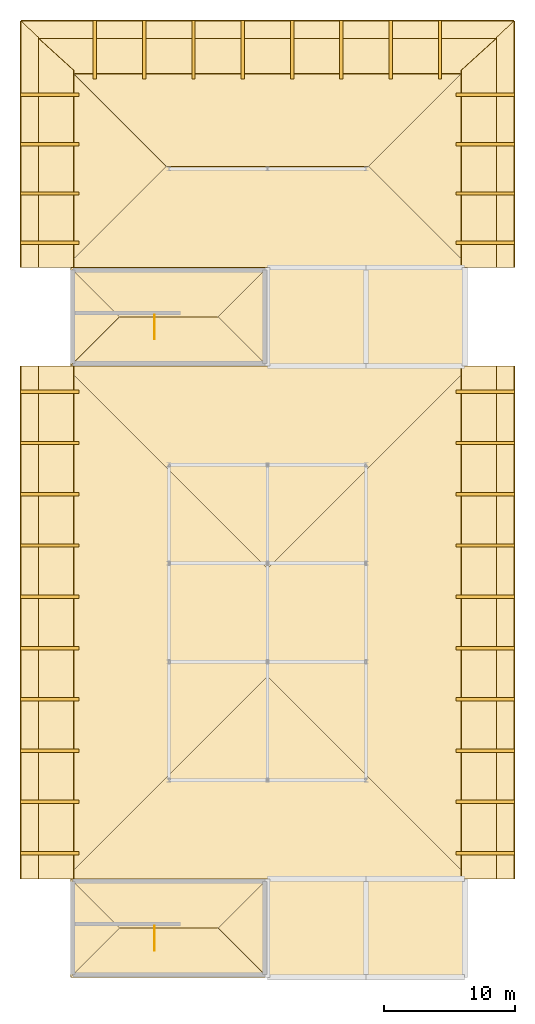
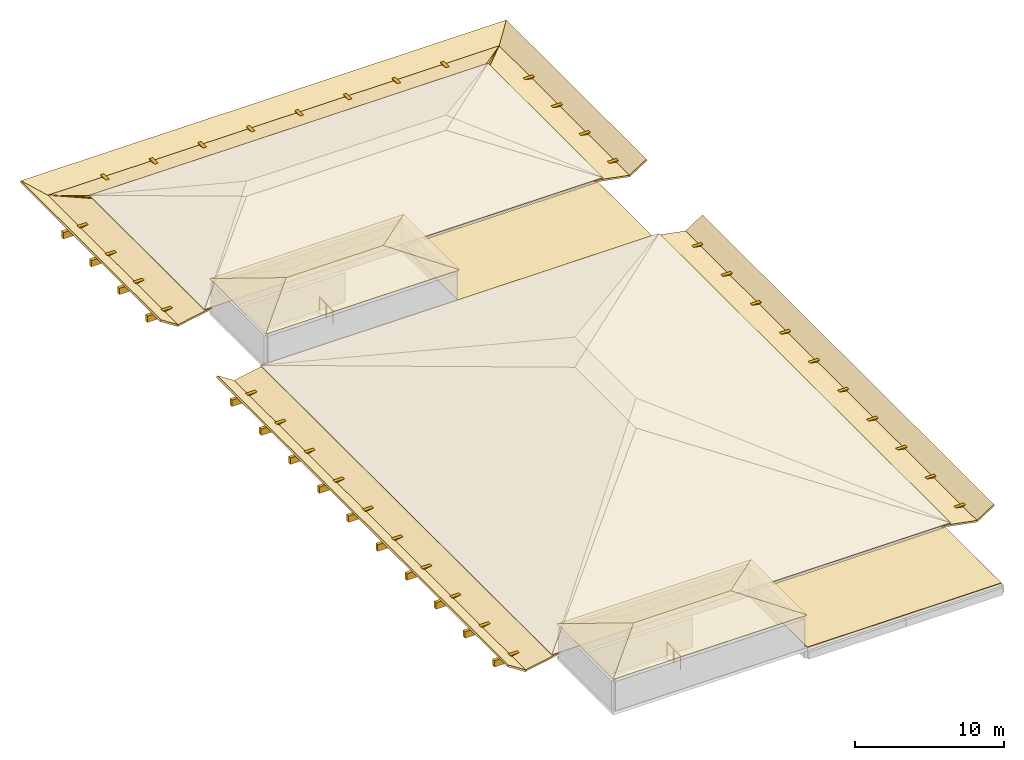
# One storey, part 4 of 4: 64 coverings, 2 railings.
"""IFC4 building model written with IfcOpenShell, lengths in metres."""

from ifc_helpers import new_model, si_unit, direction, frame, origin, origin_2d, place, context, subcontext, project, spatial, polyline, rectangle, circle, outline, extrude, material, layer, layer_set, type_object, element, save


model = new_model("IFC4")

# Units and contexts
model_context = context("Model", 3, precision=1e-05, world=origin(), true_north=direction((0.0, 1.0)))
body_context = subcontext(model_context, "Body", "Model", "MODEL_VIEW")
ifc_project = project(units=[si_unit("LENGTHUNIT", "METRE"), si_unit("AREAUNIT", "SQUARE_METRE"), si_unit("VOLUMEUNIT", "CUBIC_METRE"), si_unit("PLANEANGLEUNIT", "RADIAN"), si_unit("MASSUNIT", "GRAM", prefix="KILO")], contexts=[model_context])

# Site, building, storey
site_placement = place(None, origin())
site = spatial("IfcSite", under=ifc_project, at=site_placement, CompositionType="ELEMENT")
building_placement = place(site_placement, origin())
building = spatial("IfcBuilding", under=site, at=building_placement, Name="Dalvernix Boulevard General Hospital", CompositionType="ELEMENT")
storey_placement = place(building_placement, frame((0.0, 0.0, 34.050048828125)))
storey = spatial("IfcBuildingStorey", under=building, at=storey_placement, Name="RF", CompositionType="ELEMENT", Elevation=34.050048828125)

# Coverings
ifc_material_1 = material(Name="Glazed Catalan terracotta and iroko timber overhanging upturned eave", Category="masonry")
ifc_layer_1 = layer(ifc_material_1, 0.139892578125)
ifc_layer_set_1 = layer_set([ifc_layer_1], Name="Glazed Catalan terracotta and iroko timber overhanging upturned eave (COV-EAVE-01)")
covering_type_1 = type_object("IfcCoveringType", Name="COV-EAVE-01", PredefinedType="CLADDING", material=ifc_layer_set_1)
covering_1_placement = place(storey_placement, frame((0.25, 54.0, 0.260009765625), z_axis=(-0.185805173125, 0.0, 0.982586605669), x_axis=(0.0, -1.0, 0.0)))
element("IfcCovering", 1, at=covering_1_placement, inside=storey, type_object=covering_type_1, Name="V4-MID overhanging ceramic eave skirt W", PredefinedType="CLADDING", context=body_context, shape_type="SweptSolid", body=[
    extrude(outline(polyline([(0.0, 0.0), (39.0, 0.0), (39.0, -2.798735484621844), (0.0, -2.798735484621844), (0.0, 0.0)])), origin(), (0.0, 0.0, -1.0), 0.139892578125),
])
covering_2_placement = place(storey_placement, frame((-2.419921875, 54.0, -0.260009765625), z_axis=(0.542906093133, 0.0, 0.839793411524), x_axis=(0.0, -1.0, 0.0)))
element("IfcCovering", 2, at=covering_2_placement, inside=storey, type_object=covering_type_1, Name="V4-MID upturned ceramic eave wing W", PredefinedType="CLADDING", context=body_context, shape_type="SweptSolid", body=[
    extrude(outline(polyline([(0.0, 0.0), (39.0, 0.0), (39.0, -1.5838158608391104), (0.0, -1.5838158608391104), (0.0, 0.0)])), origin(), (0.0, 0.0, -1.0), 0.139892578125),
])
covering_3_placement = place(storey_placement, frame((29.75, 15.0, 0.260009765625), z_axis=(0.185805173125, 0.0, 0.982586605669), x_axis=(0.0, 1.0, 0.0)))
element("IfcCovering", 3, at=covering_3_placement, inside=storey, type_object=covering_type_1, Name="V4-MID overhanging ceramic eave skirt E", PredefinedType="CLADDING", context=body_context, shape_type="SweptSolid", body=[
    extrude(outline(polyline([(0.0, 0.0), (39.0, 0.0), (39.0, -2.798735484621844), (0.0, -2.798735484621844), (0.0, 0.0)])), origin(), (0.0, 0.0, -1.0), 0.139892578125),
])
covering_4_placement = place(storey_placement, frame((32.419921875, 15.0, -0.260009765625), z_axis=(-0.542906093133, 0.0, 0.839793411524), x_axis=(0.0, 1.0, 0.0)))
element("IfcCovering", 4, at=covering_4_placement, inside=storey, type_object=covering_type_1, Name="V4-MID upturned ceramic eave wing E", PredefinedType="CLADDING", context=body_context, shape_type="SweptSolid", body=[
    extrude(outline(polyline([(0.0, 0.0), (39.0, 0.0), (39.0, -1.5838158608391104), (0.0, -1.5838158608391104), (0.0, 0.0)])), origin(), (0.0, 0.0, -1.0), 0.139892578125),
])
covering_5_placement = place(storey_placement, frame((0.25, 76.5, 0.260009765625), z_axis=(-0.185805173125, 0.0, 0.982586605669), x_axis=(0.0, -1.0, 0.0)))
element("IfcCovering", 5, at=covering_5_placement, inside=storey, type_object=covering_type_1, Name="V4-NTH overhanging ceramic eave skirt W", PredefinedType="CLADDING", context=body_context, shape_type="SweptSolid", body=[
    extrude(outline(polyline([(0.0, 0.0), (15.0, 0.0), (15.0, -2.798735484621844), (-2.5, -2.798735484621844), (0.0, 0.0)])), origin(), (0.0, 0.0, -1.0), 0.139892578125),
])
covering_6_placement = place(storey_placement, frame((-2.419921875, 79.0, -0.260009765625), z_axis=(0.542906093133, 0.0, 0.839793411524), x_axis=(0.0, -1.0, 0.0)))
element("IfcCovering", 6, at=covering_6_placement, inside=storey, type_object=covering_type_1, Name="V4-NTH upturned ceramic eave wing W", PredefinedType="CLADDING", context=body_context, shape_type="SweptSolid", body=[
    extrude(outline(polyline([(0.0, 0.0), (17.5, 0.0), (17.5, -1.5838158608391104), (-1.25, -1.5838158608391104), (0.0, 0.0)])), origin(), (0.0, 0.0, -1.0), 0.139892578125),
])
covering_7_placement = place(storey_placement, frame((29.75, 61.5, 0.260009765625), z_axis=(0.185805173125, 0.0, 0.982586605669), x_axis=(0.0, 1.0, 0.0)))
element("IfcCovering", 7, at=covering_7_placement, inside=storey, type_object=covering_type_1, Name="V4-NTH overhanging ceramic eave skirt E", PredefinedType="CLADDING", context=body_context, shape_type="SweptSolid", body=[
    extrude(outline(polyline([(0.0, 0.0), (15.0, 0.0), (17.5, -2.798735484621844), (0.0, -2.798735484621844), (0.0, 0.0)])), origin(), (0.0, 0.0, -1.0), 0.139892578125),
])
covering_8_placement = place(storey_placement, frame((32.419921875, 61.5, -0.260009765625), z_axis=(-0.542906093133, 0.0, 0.839793411524), x_axis=(0.0, 1.0, 0.0)))
element("IfcCovering", 8, at=covering_8_placement, inside=storey, type_object=covering_type_1, Name="V4-NTH upturned ceramic eave wing E", PredefinedType="CLADDING", context=body_context, shape_type="SweptSolid", body=[
    extrude(outline(polyline([(0.0, 0.0), (17.5, 0.0), (18.75, -1.5838158608391104), (0.0, -1.5838158608391104), (0.0, 0.0)])), origin(), (0.0, 0.0, -1.0), 0.139892578125),
])
covering_9_placement = place(storey_placement, frame((30.0, 76.25, 0.260009765625), z_axis=(0.0, 0.185805173125, 0.982586605669), x_axis=(-1.0, 0.0, 0.0)))
element("IfcCovering", 9, at=covering_9_placement, inside=storey, type_object=covering_type_1, Name="V4-NTH overhanging ceramic eave skirt N", PredefinedType="CLADDING", context=body_context, shape_type="SweptSolid", body=[
    extrude(outline(polyline([(0.0, 0.0), (30.0, 0.0), (32.5, -2.798735484621844), (-2.5, -2.798735484621844), (0.0, 0.0)])), origin(), (0.0, 0.0, -1.0), 0.139892578125),
])
covering_10_placement = place(storey_placement, frame((32.5, 78.919921875, -0.260009765625), z_axis=(0.0, -0.542906093133, 0.839793411524), x_axis=(-1.0, 0.0, 0.0)))
element("IfcCovering", 10, at=covering_10_placement, inside=storey, type_object=covering_type_1, Name="V4-NTH upturned ceramic eave wing N", PredefinedType="CLADDING", context=body_context, shape_type="SweptSolid", body=[
    extrude(outline(polyline([(0.0, 0.0), (35.0, 0.0), (36.25, -1.5838158608391104), (-1.25, -1.5838158608391104), (0.0, 0.0)])), origin(), (0.0, 0.0, -1.0), 0.139892578125),
])
ifc_material_2 = material(Name="Preservative-treated glulam GL28h eave outlooker corbel bracket", Category="wood")
ifc_layer_2 = layer(ifc_material_2, 0.239990234375)
ifc_layer_set_2 = layer_set([ifc_layer_2], Name="Preservative-treated glulam GL28h eave outlooker corbel bracket (COV-OUTLOOK-01)")
covering_type_2 = type_object("IfcCoveringType", Name="COV-OUTLOOK-01", PredefinedType="CLADDING", material=ifc_layer_set_2)
for number, where, z_axis, x_axis, name in (
    (11, (-1.574951171875, 16.949951171875, -0.66015625), (0.0, 0.0, 1.0), (1.0, 0.0, 0.0), "V4-MID glulam eave outlooker corbel W-1"),
    (12, (-1.574951171875, 20.85009765625, -0.66015625), (0.0, 0.0, 1.0), (1.0, 0.0, 0.0), "V4-MID glulam eave outlooker corbel W-2"),
    (13, (-1.574951171875, 24.75, -0.66015625), (0.0, 0.0, 1.0), (1.0, 0.0, 0.0), "V4-MID glulam eave outlooker corbel W-3"),
    (14, (-1.574951171875, 28.64990234375, -0.66015625), (0.0, 0.0, 1.0), (1.0, 0.0, 0.0), "V4-MID glulam eave outlooker corbel W-4"),
    (15, (-1.574951171875, 32.550048828125, -0.66015625), (0.0, 0.0, 1.0), (1.0, 0.0, 0.0), "V4-MID glulam eave outlooker corbel W-5"),
    (16, (-1.574951171875, 36.449951171875, -0.66015625), (0.0, 0.0, 1.0), (1.0, 0.0, 0.0), "V4-MID glulam eave outlooker corbel W-6"),
    (17, (-1.574951171875, 40.35009765625, -0.66015625), (0.0, 0.0, 1.0), (1.0, 0.0, 0.0), "V4-MID glulam eave outlooker corbel W-7"),
    (18, (-1.574951171875, 44.25, -0.66015625), (0.0, 0.0, 1.0), (1.0, 0.0, 0.0), "V4-MID glulam eave outlooker corbel W-8"),
    (19, (-1.574951171875, 48.14990234375, -0.66015625), (0.0, 0.0, 1.0), (1.0, 0.0, 0.0), "V4-MID glulam eave outlooker corbel W-9"),
    (20, (-1.574951171875, 52.050048828125, -0.66015625), (0.0, 0.0, 1.0), (1.0, 0.0, 0.0), "V4-MID glulam eave outlooker corbel W-10"),
    (21, (31.574951171875, 16.949951171875, -0.66015625), (0.0, 0.0, 1.0), (1.0, 0.0, 0.0), "V4-MID glulam eave outlooker corbel E-1"),
    (22, (31.574951171875, 20.85009765625, -0.66015625), (0.0, 0.0, 1.0), (1.0, 0.0, 0.0), "V4-MID glulam eave outlooker corbel E-2"),
    (23, (31.574951171875, 24.75, -0.66015625), (0.0, 0.0, 1.0), (1.0, 0.0, 0.0), "V4-MID glulam eave outlooker corbel E-3"),
    (24, (31.574951171875, 28.64990234375, -0.66015625), (0.0, 0.0, 1.0), (1.0, 0.0, 0.0), "V4-MID glulam eave outlooker corbel E-4"),
    (25, (31.574951171875, 32.550048828125, -0.66015625), (0.0, 0.0, 1.0), (1.0, 0.0, 0.0), "V4-MID glulam eave outlooker corbel E-5"),
    (26, (31.574951171875, 36.449951171875, -0.66015625), (0.0, 0.0, 1.0), (1.0, 0.0, 0.0), "V4-MID glulam eave outlooker corbel E-6"),
    (27, (31.574951171875, 40.35009765625, -0.66015625), (0.0, 0.0, 1.0), (1.0, 0.0, 0.0), "V4-MID glulam eave outlooker corbel E-7"),
    (28, (31.574951171875, 44.25, -0.66015625), (0.0, 0.0, 1.0), (1.0, 0.0, 0.0), "V4-MID glulam eave outlooker corbel E-8"),
    (29, (31.574951171875, 48.14990234375, -0.66015625), (0.0, 0.0, 1.0), (1.0, 0.0, 0.0), "V4-MID glulam eave outlooker corbel E-9"),
    (30, (31.574951171875, 52.050048828125, -0.66015625), (0.0, 0.0, 1.0), (1.0, 0.0, 0.0), "V4-MID glulam eave outlooker corbel E-10"),
    (31, (-1.574951171875, 63.375, -0.66015625), (0.0, 0.0, 1.0), (1.0, 0.0, 0.0), "V4-NTH glulam eave outlooker corbel W-1"),
    (32, (-1.574951171875, 67.125, -0.66015625), (0.0, 0.0, 1.0), (1.0, 0.0, 0.0), "V4-NTH glulam eave outlooker corbel W-2"),
    (33, (-1.574951171875, 70.875, -0.66015625), (0.0, 0.0, 1.0), (1.0, 0.0, 0.0), "V4-NTH glulam eave outlooker corbel W-3"),
    (34, (-1.574951171875, 74.625, -0.66015625), (0.0, 0.0, 1.0), (1.0, 0.0, 0.0), "V4-NTH glulam eave outlooker corbel W-4"),
    (35, (31.574951171875, 63.375, -0.66015625), (0.0, 0.0, 1.0), (1.0, 0.0, 0.0), "V4-NTH glulam eave outlooker corbel E-1"),
    (36, (31.574951171875, 67.125, -0.66015625), (0.0, 0.0, 1.0), (1.0, 0.0, 0.0), "V4-NTH glulam eave outlooker corbel E-2"),
    (37, (31.574951171875, 70.875, -0.66015625), (0.0, 0.0, 1.0), (1.0, 0.0, 0.0), "V4-NTH glulam eave outlooker corbel E-3"),
    (38, (31.574951171875, 74.625, -0.66015625), (0.0, 0.0, 1.0), (1.0, 0.0, 0.0), "V4-NTH glulam eave outlooker corbel E-4"),
):
    element("IfcCovering", number, at=place(storey_placement, frame(where, z_axis=z_axis, x_axis=x_axis)), inside=storey, type_object=covering_type_2, Name=name, PredefinedType="CLADDING", context=body_context, shape_type="SweptSolid", body=[
        extrude(rectangle(XDim=4.449951171875, YDim=0.260009765625, at=origin_2d()), origin(), (0.0, 0.0, 1.0), 0.52001953125),
    ])
for number, where, z_axis, x_axis, name in (
    (39, (1.875, 78.074951171875, -0.66015625), (0.0, 0.0, 1.0), (1.0, 0.0, 0.0), "V4-NTH glulam eave outlooker corbel N-1"),
    (40, (5.625, 78.074951171875, -0.66015625), (0.0, 0.0, 1.0), (1.0, 0.0, 0.0), "V4-NTH glulam eave outlooker corbel N-2"),
    (41, (9.375, 78.074951171875, -0.66015625), (0.0, 0.0, 1.0), (1.0, 0.0, 0.0), "V4-NTH glulam eave outlooker corbel N-3"),
    (42, (13.125, 78.074951171875, -0.66015625), (0.0, 0.0, 1.0), (1.0, 0.0, 0.0), "V4-NTH glulam eave outlooker corbel N-4"),
    (43, (16.875, 78.074951171875, -0.66015625), (0.0, 0.0, 1.0), (1.0, 0.0, 0.0), "V4-NTH glulam eave outlooker corbel N-5"),
    (44, (20.625, 78.074951171875, -0.66015625), (0.0, 0.0, 1.0), (1.0, 0.0, 0.0), "V4-NTH glulam eave outlooker corbel N-6"),
    (45, (24.375, 78.074951171875, -0.66015625), (0.0, 0.0, 1.0), (1.0, 0.0, 0.0), "V4-NTH glulam eave outlooker corbel N-7"),
    (46, (28.125, 78.074951171875, -0.66015625), (0.0, 0.0, 1.0), (1.0, 0.0, 0.0), "V4-NTH glulam eave outlooker corbel N-8"),
):
    element("IfcCovering", number, at=place(storey_placement, frame(where, z_axis=z_axis, x_axis=x_axis)), inside=storey, type_object=covering_type_2, Name=name, PredefinedType="CLADDING", context=body_context, shape_type="SweptSolid", body=[
        extrude(rectangle(XDim=0.260009765625, YDim=4.449951171875, at=origin_2d()), origin(), (0.0, 0.0, 1.0), 0.52001953125),
    ])
ifc_material_3 = material(Name="Polychrome Catalan glazed terracotta roof tiles", Category="masonry")
ifc_layer_3 = layer(ifc_material_3, 0.050048828125)
ifc_layer_set_3 = layer_set([ifc_layer_3], Name="Polychrome Catalan glazed terracotta roof tiles (COV-ROOF-01)")
covering_type_3 = type_object("IfcCoveringType", Name="COV-ROOF-01", PredefinedType="ROOFING", material=ifc_layer_set_3)
covering_11_placement = place(storey_placement, origin())
element("IfcCovering", 47, at=covering_11_placement, inside=storey, type_object=covering_type_3, Name="RF insulated ceramic roof membrane 1", PredefinedType="ROOFING", context=body_context, shape_type="SweptSolid", body=[
    extrude(outline(polyline([(15.0, 15.0), (22.5, 15.0), (30.0, 15.0), (30.0, 7.5), (22.5, 7.5), (15.0, 7.5), (15.0, 15.0)])), origin(), (0.0, 0.0, 1.0), 0.050048828125),
])
covering_12_placement = place(storey_placement, origin())
element("IfcCovering", 48, at=covering_12_placement, inside=storey, type_object=covering_type_3, Name="RF insulated ceramic roof membrane 2", PredefinedType="ROOFING", context=body_context, shape_type="SweptSolid", body=[
    extrude(outline(polyline([(15.0, 61.5), (22.5, 61.5), (30.0, 61.5), (30.0, 54.0), (22.5, 54.0), (15.0, 54.0), (15.0, 61.5)])), origin(), (0.0, 0.0, 1.0), 0.050048828125),
])
for number, where, z_axis, x_axis, name in (
    (49, (-0.39990234375, 54.0, 0.27001953125), (-0.238527027903, 0.0, 0.971135859167), (0.0, -1.0, 0.0), "V4-MID glazed terracotta tile slope W"),
    (50, (30.39990234375, 15.0, 0.27001953125), (0.238527027903, 0.0, 0.971135859167), (0.0, 1.0, 0.0), "V4-MID glazed terracotta tile slope E"),
):
    element("IfcCovering", number, at=place(storey_placement, frame(where, z_axis=z_axis, x_axis=x_axis)), inside=storey, type_object=covering_type_3, Name=name, PredefinedType="ROOFING", context=body_context, shape_type="SweptSolid", body=[
        extrude(outline(polyline([(0.0, 0.0), (39.0, 0.0), (23.60009765625, 15.857618888630023), (15.39990234375, 15.857618888630023), (0.0, 0.0)])), origin(), (0.0, 0.0, -1.0), 0.050048828125),
    ])
for number, where, z_axis, x_axis, name in (
    (51, (-0.39990234375, 15.0, 0.27001953125), (0.0, -0.238527027903, 0.971135859167), (1.0, 0.0, 0.0), "V4-MID glazed terracotta tile slope S"),
    (52, (30.39990234375, 54.0, 0.27001953125), (0.0, 0.238527027903, 0.971135859167), (-1.0, 0.0, 0.0), "V4-MID glazed terracotta tile slope N"),
):
    element("IfcCovering", number, at=place(storey_placement, frame(where, z_axis=z_axis, x_axis=x_axis)), inside=storey, type_object=covering_type_3, Name=name, PredefinedType="ROOFING", context=body_context, shape_type="SweptSolid", body=[
        extrude(outline(polyline([(0.0, 0.0), (30.7998046875, 0.0), (15.39990234375, 15.857618888630022), (0.0, 0.0)])), origin(), (0.0, 0.0, -1.0), 0.050048828125),
    ])
for number, where, z_axis, x_axis, name in (
    (53, (-0.39990234375, 61.5, 0.27001953125), (0.0, -0.238512507976, 0.971139425386), (1.0, 0.0, 0.0), "V4-NTH glazed terracotta tile slope S"),
    (54, (30.39990234375, 76.89990234375, 0.27001953125), (0.0, 0.238512507976, 0.971139425386), (-1.0, 0.0, 0.0), "V4-NTH glazed terracotta tile slope N"),
):
    element("IfcCovering", number, at=place(storey_placement, frame(where, z_axis=z_axis, x_axis=x_axis)), inside=storey, type_object=covering_type_3, Name=name, PredefinedType="ROOFING", context=body_context, shape_type="SweptSolid", body=[
        extrude(outline(polyline([(0.0, 0.0), (30.7998046875, 0.0), (23.099853515625, 7.928780328132399), (7.699951171875, 7.928780328132399), (0.0, 0.0)])), origin(), (0.0, 0.0, -1.0), 0.050048828125),
    ])
for number, where, z_axis, x_axis, name in (
    (55, (-0.39990234375, 76.89990234375, 0.27001953125), (-0.238512507976, 0.0, 0.971139425386), (0.0, -1.0, 0.0), "V4-NTH glazed terracotta tile slope W"),
    (56, (30.39990234375, 61.5, 0.27001953125), (0.238512507976, 0.0, 0.971139425386), (0.0, 1.0, 0.0), "V4-NTH glazed terracotta tile slope E"),
):
    element("IfcCovering", number, at=place(storey_placement, frame(where, z_axis=z_axis, x_axis=x_axis)), inside=storey, type_object=covering_type_3, Name=name, PredefinedType="ROOFING", context=body_context, shape_type="SweptSolid", body=[
        extrude(outline(polyline([(0.0, 0.0), (15.39990234375, 0.0), (7.699951171875, 7.928780328132401), (0.0, 0.0)])), origin(), (0.0, 0.0, -1.0), 0.050048828125),
    ])
for number, where, z_axis, x_axis, name in (
    (57, (0.0, 7.5, 2.669921875), (0.0, -0.265564933638, 0.964092975818), (1.0, 0.0, 0.0), "V4-HHC1 glazed terracotta tile slope S"),
    (58, (15.0, 15.0, 2.669921875), (0.0, 0.265564933638, 0.964092975818), (-1.0, 0.0, 0.0), "V4-HHC1 glazed terracotta tile slope N"),
):
    element("IfcCovering", number, at=place(storey_placement, frame(where, z_axis=z_axis, x_axis=x_axis)), inside=storey, type_object=covering_type_3, Name=name, PredefinedType="ROOFING", context=body_context, shape_type="SweptSolid", body=[
        extrude(outline(polyline([(0.0, 0.0), (15.0, 0.0), (11.25, 3.8896663434542855), (3.75, 3.8896663434542855), (0.0, 0.0)])), origin(), (0.0, 0.0, -1.0), 0.050048828125),
    ])
for number, where, z_axis, x_axis, name in (
    (59, (0.0, 15.0, 2.669921875), (-0.265564933638, 0.0, 0.964092975818), (0.0, -1.0, 0.0), "V4-HHC1 glazed terracotta tile slope W"),
    (60, (15.0, 7.5, 2.669921875), (0.265564933638, 0.0, 0.964092975818), (0.0, 1.0, 0.0), "V4-HHC1 glazed terracotta tile slope E"),
):
    element("IfcCovering", number, at=place(storey_placement, frame(where, z_axis=z_axis, x_axis=x_axis)), inside=storey, type_object=covering_type_3, Name=name, PredefinedType="ROOFING", context=body_context, shape_type="SweptSolid", body=[
        extrude(outline(polyline([(0.0, 0.0), (7.5, 0.0), (3.75, 3.889666343454285), (0.0, 0.0)])), origin(), (0.0, 0.0, -1.0), 0.050048828125),
    ])
for number, where, z_axis, x_axis, name in (
    (61, (0.0, 54.0, 2.669921875), (0.0, -0.265564933638, 0.964092975818), (1.0, 0.0, 0.0), "V4-HHC2 glazed terracotta tile slope S"),
    (62, (15.0, 61.5, 2.669921875), (0.0, 0.265564933638, 0.964092975818), (-1.0, 0.0, 0.0), "V4-HHC2 glazed terracotta tile slope N"),
):
    element("IfcCovering", number, at=place(storey_placement, frame(where, z_axis=z_axis, x_axis=x_axis)), inside=storey, type_object=covering_type_3, Name=name, PredefinedType="ROOFING", context=body_context, shape_type="SweptSolid", body=[
        extrude(outline(polyline([(0.0, 0.0), (15.0, 0.0), (11.25, 3.8896663434542855), (3.75, 3.8896663434542855), (0.0, 0.0)])), origin(), (0.0, 0.0, -1.0), 0.050048828125),
    ])
for number, where, z_axis, x_axis, name in (
    (63, (0.0, 61.5, 2.669921875), (-0.265564933638, 0.0, 0.964092975818), (0.0, -1.0, 0.0), "V4-HHC2 glazed terracotta tile slope W"),
    (64, (15.0, 54.0, 2.669921875), (0.265564933638, 0.0, 0.964092975818), (0.0, 1.0, 0.0), "V4-HHC2 glazed terracotta tile slope E"),
):
    element("IfcCovering", number, at=place(storey_placement, frame(where, z_axis=z_axis, x_axis=x_axis)), inside=storey, type_object=covering_type_3, Name=name, PredefinedType="ROOFING", context=body_context, shape_type="SweptSolid", body=[
        extrude(outline(polyline([(0.0, 0.0), (7.5, 0.0), (3.75, 3.889666343454285), (0.0, 0.0)])), origin(), (0.0, 0.0, -1.0), 0.050048828125),
    ])

# Railings
ifc_material_4 = material(Name="Brushed stainless steel balustrade", Category="steel")
railing_type = type_object("IfcRailingType", Name="RL-GR-INT1", PredefinedType="BALUSTRADE", material=ifc_material_4)
for number, where, name in (
    (65, (6.39990234375, 11.39990234375, 0.0), "RF ST-01 top well guard 1"),
    (66, (6.39990234375, 57.89990234375, 0.0), "RF ST-02 top well guard 1"),
):
    element("IfcRailing", number, at=place(storey_placement, frame(where)), inside=storey, type_object=railing_type, Name=name, PredefinedType="BALUSTRADE", context=body_context, shape_type="SweptSolid", body=[
        extrude(circle(Radius=0.02392578125, at=origin_2d()), frame((0.0, 0.0, 1.09619140625), z_axis=(0.0, -1.0, 0.0), x_axis=(1.0, 0.0, 0.0)), (0.0, 0.0, 1.0), 1.849853515625),
        extrude(circle(Radius=0.02099609375, at=origin_2d()), origin(), (0.0, 0.0, 1.0), 1.072021484375),
        extrude(circle(Radius=0.02099609375, at=origin_2d()), frame((0.0, -0.9248046875, 0.0)), (0.0, 0.0, 1.0), 1.072021484375),
        extrude(circle(Radius=0.02099609375, at=origin_2d()), frame((0.0, -1.849853515625, 0.0)), (0.0, 0.0, 1.0), 1.072021484375),
    ])

save(model, "model.ifc")
